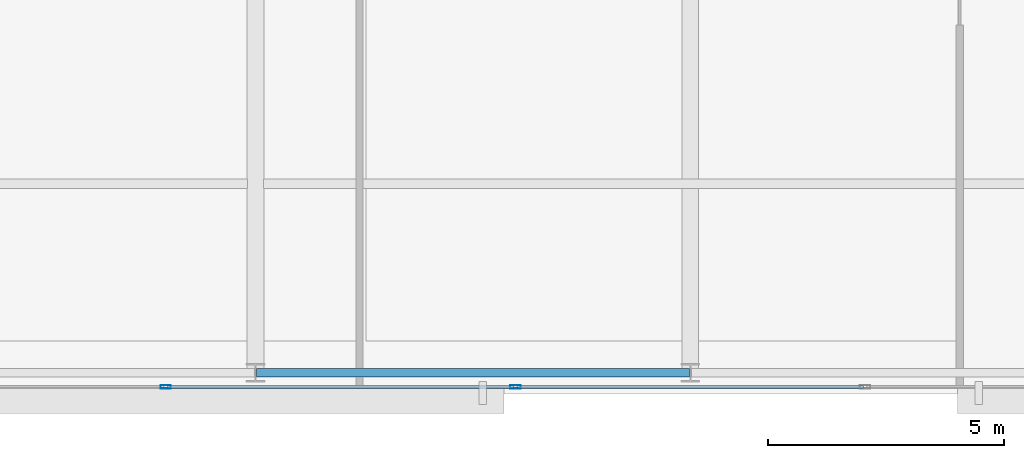
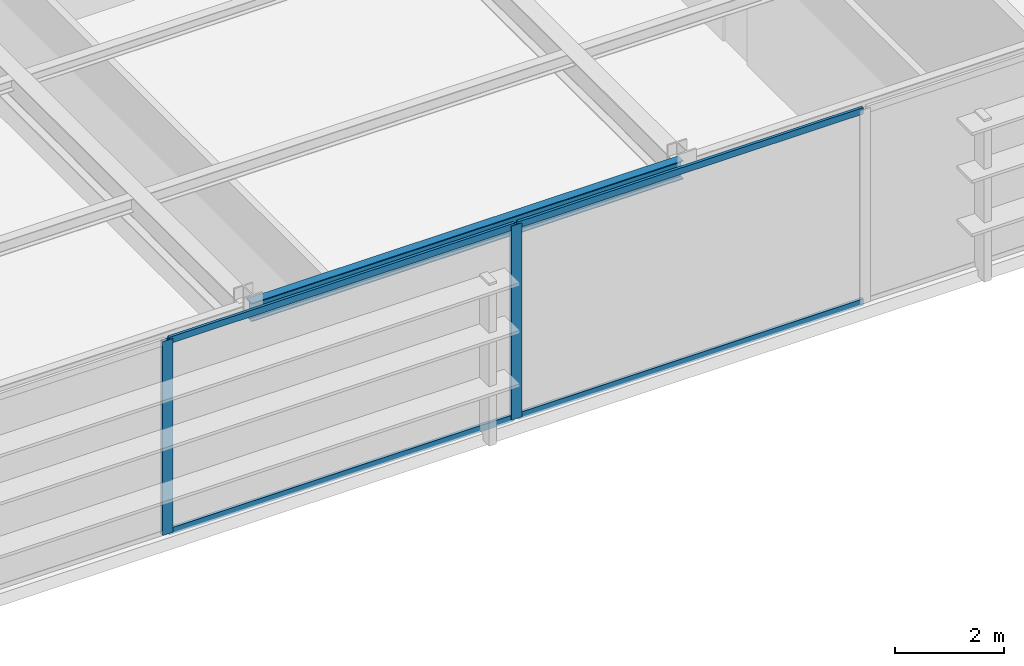
# One storey, part 9 of 32: 6 members, 1 beam, 1 element without a shape of its own.
"""IFC4 building model written with IfcOpenShell, lengths in metres."""

from ifc_helpers import new_model, si_unit, direction, frame, origin, origin_2d, place, context, subcontext, project, spatial, hollow_rectangle, i_section, extrude, source, transform, mapped, material, layer, layer_set, material_profile, profile_set, type_object, type_shapes, element, aggregate, save


model = new_model("IFC4")

# Units and contexts
model_context = context("Model", 3, precision=1e-05, world=origin(), true_north=direction((0.0, 1.0)))
body_context = subcontext(model_context, "Body", "Model", "MODEL_VIEW")
ifc_project = project(units=[si_unit("LENGTHUNIT", "METRE"), si_unit("AREAUNIT", "SQUARE_METRE"), si_unit("VOLUMEUNIT", "CUBIC_METRE"), si_unit("PLANEANGLEUNIT", "RADIAN"), si_unit("MASSUNIT", "GRAM", prefix="KILO")], contexts=[model_context])

# Site, building, storey
site_placement = place(None, origin())
site = spatial("IfcSite", under=ifc_project, at=site_placement, CompositionType="ELEMENT")
building_placement = place(site_placement, origin())
building = spatial("IfcBuilding", under=site, at=building_placement, Name="Varnel Quay Broadcast Tower", CompositionType="ELEMENT")
storey_placement = place(building_placement, frame((0.0, 0.0, 98.39990234375)))
storey = spatial("IfcBuildingStorey", under=building, at=storey_placement, Name="L23", CompositionType="ELEMENT", Elevation=98.39990234375)

# Beam
ifc_material_1 = material(Name="Structural Steel CSA G40.21 350W", Category="steel")
ifc_material_profile_1 = material_profile(ifc_material_1, i_section(OverallWidth=0.180908203125, OverallDepth=0.4169921875, WebThickness=0.010986328125, FlangeThickness=0.018310546875, FilletRadius=0.011962890625, at=origin_2d()), Name="W410X85")
ifc_profile_set_1 = profile_set([ifc_material_profile_1], Name="Structural Steel CSA G40.21 350W")
beam_type = type_object("IfcBeamType", Name="Beam_W410X85", PredefinedType="SPANDREL", material=ifc_profile_set_1)
shared_shape_1 = source(origin(), body_context, "Body", "SweptSolid", [
    extrude(i_section(OverallWidth=0.180908203125, OverallDepth=0.4169921875, WebThickness=0.010986328125, FlangeThickness=0.018310546875, FilletRadius=0.011962890625, at=origin_2d()), origin(), (0.0, 0.0, 1.0), 9.159912109375),
])
type_shapes(beam_type, [shared_shape_1])
beam_placement = place(storey_placement, frame((24.820068359375, 4.64990234375, 4.1416015625), z_axis=(1.0, 0.0, 0.0), x_axis=(0.0, 1.0, 0.0)))
element("IfcBeam", 1, at=beam_placement, inside=storey, type_object=beam_type, Name="L23 South Spandrel TC-S2-TC-S3", PredefinedType="SPANDREL", context=body_context, shape_type="MappedRepresentation", body=[
    mapped(shared_shape_1, transform((0.0, 0.0, 0.0), x_axis=(1.0, 0.0, 0.0), y_axis=(0.0, 1.0, 0.0), z_axis=(0.0, 0.0, 1.0), scale=1.0)),
])

# Curtain wall, members
ifc_material_2 = material(Name="Anodised Bronze Aluminium 6063-T6", Category="aluminium")
ifc_layer = layer(ifc_material_2, 0.18994140625, Name="Anodised Bronze Aluminium 6063-T6")
ifc_layer_set = layer_set([ifc_layer], Name="Anodised Bronze Aluminium 6063-T6")
curtain_wall_type = type_object("IfcCurtainWallType", Name="CW_SkyObsHighVis", PredefinedType="NOTDEFINED", material=ifc_layer_set)
curtain_wall_placement = place(storey_placement, origin())
curtain_wall = element("IfcCurtainWall", 2, at=curtain_wall_placement, inside=storey, type_object=curtain_wall_type, Name="L23 South Unitised Curtain Wall 1", PredefinedType="NOTDEFINED")
ifc_material_profile_2 = material_profile(ifc_material_2, hollow_rectangle(XDim=0.074951171875, YDim=0.219970703125, WallThickness=0.00390625, at=origin_2d()), Name="ALU75X220X4")
ifc_profile_set_2 = profile_set([ifc_material_profile_2], Name="Anodised Bronze Aluminium 6063-T6")
member_type_1 = type_object("IfcMemberType", Name="Mull_CWS-05", PredefinedType="MULLION", material=ifc_profile_set_2)
shared_shape_2 = source(origin(), body_context, "Body", "SweptSolid", [
    extrude(hollow_rectangle(XDim=0.074951171875, YDim=0.219970703125, WallThickness=0.00390625, at=origin_2d()), origin(), (0.0, 0.0, 1.0), 4.35009765625),
])
type_shapes(member_type_1, [shared_shape_2])
member_1_placement = place(storey_placement, frame((22.89990234375, 4.35009765625, 0.0), z_axis=(0.0, 0.0, 1.0), x_axis=(0.0, 1.0, 0.0)))
member_1 = element("IfcMember", 3, at=member_1_placement, type_object=member_type_1, Name="CWS-05 mullion 3", PredefinedType="MULLION", context=body_context, shape_type="MappedRepresentation", body=[
    mapped(shared_shape_2, transform((0.0, 0.0, 0.0), x_axis=(1.0, 0.0, 0.0), y_axis=(0.0, 1.0, 0.0), z_axis=(0.0, 0.0, 1.0), scale=1.0)),
])
member_2_placement = place(storey_placement, frame((30.300048828125, 4.35009765625, 0.0), z_axis=(0.0, 0.0, 1.0), x_axis=(0.0, 1.0, 0.0)))
member_2 = element("IfcMember", 4, at=member_2_placement, type_object=member_type_1, Name="CWS-05 mullion 4", PredefinedType="MULLION", context=body_context, shape_type="MappedRepresentation", body=[
    mapped(shared_shape_2, transform((0.0, 0.0, 0.0), x_axis=(1.0, 0.0, 0.0), y_axis=(0.0, 1.0, 0.0), z_axis=(0.0, 0.0, 1.0), scale=1.0)),
])
ifc_material_profile_3 = material_profile(ifc_material_2, hollow_rectangle(XDim=0.06005859375, YDim=0.14501953125, WallThickness=0.00341796875, at=origin_2d()), Name="ALU60X145X3.5")
ifc_profile_set_3 = profile_set([ifc_material_profile_3], Name="Anodised Bronze Aluminium 6063-T6")
member_type_2 = type_object("IfcMemberType", Name="Tran_CWS-05", PredefinedType="USERDEFINED", material=ifc_profile_set_3)
shared_shape_3 = source(origin(), body_context, "Body", "SweptSolid", [
    extrude(hollow_rectangle(XDim=0.06005859375, YDim=0.14501953125, WallThickness=0.00341796875, at=origin_2d()), origin(), (0.0, 0.0, 1.0), 7.324951171875),
])
member_3_placement = place(storey_placement, frame((22.9375, 4.35009765625, 0.030029296875), z_axis=(1.0, 0.0, 0.0), x_axis=(0.0, 1.0, 0.0)))
member_3 = element("IfcMember", 5, at=member_3_placement, type_object=member_type_2, Name="CWS-05 transom 3.1", ObjectType="TRANSOM", PredefinedType="USERDEFINED", context=body_context, shape_type="MappedRepresentation", body=[
    mapped(shared_shape_3, transform((0.0, 0.0, 0.0), x_axis=(1.0, 0.0, 0.0), y_axis=(0.0, 1.0, 0.0), z_axis=(0.0, 0.0, 1.0), scale=1.0)),
])
member_4_placement = place(storey_placement, frame((22.9375, 4.35009765625, 4.320068359375), z_axis=(1.0, 0.0, 0.0), x_axis=(0.0, 1.0, 0.0)))
member_4 = element("IfcMember", 6, at=member_4_placement, type_object=member_type_2, Name="CWS-05 transom 3.2", ObjectType="TRANSOM", PredefinedType="USERDEFINED", context=body_context, shape_type="MappedRepresentation", body=[
    mapped(shared_shape_3, transform((0.0, 0.0, 0.0), x_axis=(1.0, 0.0, 0.0), y_axis=(0.0, 1.0, 0.0), z_axis=(0.0, 0.0, 1.0), scale=1.0)),
])
shared_shape_4 = source(origin(), body_context, "Body", "SweptSolid", [
    extrude(hollow_rectangle(XDim=0.06005859375, YDim=0.14501953125, WallThickness=0.00341796875, at=origin_2d()), origin(), (0.0, 0.0, 1.0), 7.3251953125),
])
type_shapes(member_type_2, [shared_shape_3, shared_shape_4])
member_5_placement = place(storey_placement, frame((30.33740234375, 4.35009765625, 0.030029296875), z_axis=(1.0, 0.0, 0.0), x_axis=(0.0, 1.0, 0.0)))
member_5 = element("IfcMember", 7, at=member_5_placement, type_object=member_type_2, Name="CWS-05 transom 4.1", ObjectType="TRANSOM", PredefinedType="USERDEFINED", context=body_context, shape_type="MappedRepresentation", body=[
    mapped(shared_shape_4, transform((0.0, 0.0, 0.0), x_axis=(1.0, 0.0, 0.0), y_axis=(0.0, 1.0, 0.0), z_axis=(0.0, 0.0, 1.0), scale=1.0)),
])
member_6_placement = place(storey_placement, frame((30.33740234375, 4.35009765625, 4.320068359375), z_axis=(1.0, 0.0, 0.0), x_axis=(0.0, 1.0, 0.0)))
member_6 = element("IfcMember", 8, at=member_6_placement, type_object=member_type_2, Name="CWS-05 transom 4.2", ObjectType="TRANSOM", PredefinedType="USERDEFINED", context=body_context, shape_type="MappedRepresentation", body=[
    mapped(shared_shape_4, transform((0.0, 0.0, 0.0), x_axis=(1.0, 0.0, 0.0), y_axis=(0.0, 1.0, 0.0), z_axis=(0.0, 0.0, 1.0), scale=1.0)),
])
aggregate(curtain_wall, [member_1, member_2, member_3, member_4, member_5, member_6])

save(model, "model.ifc")
